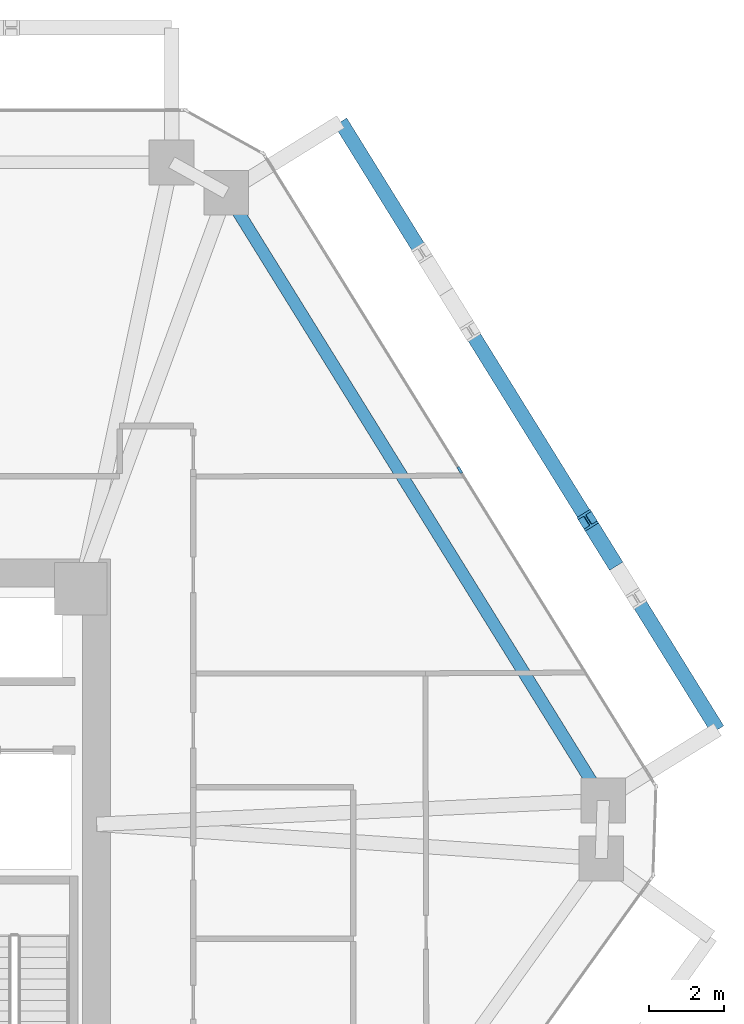
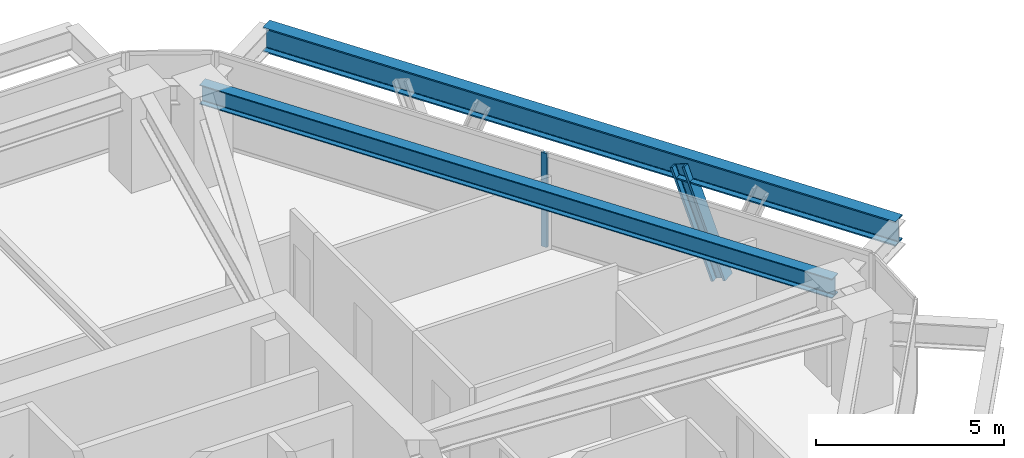
# One storey, part 6 of 13: 2 beams, 2 members, 1 element without a shape of its own.
"""IFC4 building model written with IfcOpenShell, lengths in metres."""

from ifc_helpers import new_model, si_unit, direction, frame, origin, origin_2d, place, context, subcontext, project, spatial, rectangle, i_section, extrude, source, transform, mapped, material, layer, layer_set, material_profile, profile_set, type_object, type_shapes, element, aggregate, save


model = new_model("IFC4")

# Units and contexts
model_context = context("Model", 3, precision=1e-05, world=origin(), true_north=direction((0.0, 1.0)))
body_context = subcontext(model_context, "Body", "Model", "MODEL_VIEW")
ifc_project = project(units=[si_unit("LENGTHUNIT", "METRE"), si_unit("AREAUNIT", "SQUARE_METRE"), si_unit("VOLUMEUNIT", "CUBIC_METRE"), si_unit("PLANEANGLEUNIT", "RADIAN"), si_unit("MASSUNIT", "GRAM", prefix="KILO")], contexts=[model_context])

# Site, building, storey
site_placement = place(None, origin())
site = spatial("IfcSite", under=ifc_project, at=site_placement, CompositionType="ELEMENT")
building_placement = place(site_placement, origin())
building = spatial("IfcBuilding", under=site, at=building_placement, Name="Durnholm Broadcast Tower", CompositionType="ELEMENT")
storey_placement = place(building_placement, frame((0.0, 0.0, 133.800048828125)))
storey = spatial("IfcBuildingStorey", under=building, at=storey_placement, Name="L36", CompositionType="ELEMENT", Elevation=133.800048828125)

# Beams
ifc_material_1 = material(Name="Steel ASTM A992 Grade 50", Category="steel")
ifc_material_profile_1 = material_profile(ifc_material_1, i_section(OverallWidth=0.3291015625, OverallDepth=0.635009765625, WebThickness=0.017822265625, FlangeThickness=0.031005859375, FilletRadius=0.02783203125, at=origin_2d()), Name="W24X162")
ifc_profile_set_1 = profile_set([ifc_material_profile_1], Name="Steel ASTM A992 Grade 50")
beam_type_1 = type_object("IfcBeamType", Name="STL-SP-W24X162", PredefinedType="SPANDREL", material=ifc_profile_set_1)
shared_shape_1 = source(origin(), body_context, "Body", "SweptSolid", [
    extrude(i_section(OverallWidth=0.3291015625, OverallDepth=0.635009765625, WebThickness=0.017822265625, FlangeThickness=0.031005859375, FilletRadius=0.02783203125, at=origin_2d()), origin(), (0.0, 0.0, 1.0), 19.139404296875),
])
type_shapes(beam_type_1, [shared_shape_1])
beam_1_placement = place(storey_placement, frame((13.692138671875, 18.4013671875, 2.7275390625), z_axis=(0.527111038734, -0.84979641847, 0.0), x_axis=(0.84979641847, 0.527111038734, 0.0)))
element("IfcBeam", 1, at=beam_1_placement, inside=storey, type_object=beam_type_1, Name="L36 perimeter spandrel girder 07", PredefinedType="SPANDREL", context=body_context, shape_type="MappedRepresentation", body=[
    mapped(shared_shape_1, transform((0.0, 0.0, 0.0), x_axis=(1.0, 0.0, 0.0), y_axis=(0.0, 1.0, 0.0), z_axis=(0.0, 0.0, 1.0), scale=1.0)),
])
ifc_material_profile_2 = material_profile(ifc_material_1, i_section(OverallWidth=0.385009765625, OverallDepth=0.802978515625, WebThickness=0.023681640625, FlangeThickness=0.0419921875, FilletRadius=0.032958984375, at=origin_2d()), Name="W30X261")
ifc_profile_set_2 = profile_set([ifc_material_profile_2], Name="Steel ASTM A992 Grade 50")
beam_type_2 = type_object("IfcBeamType", Name="BM-EXO-TIE", PredefinedType="USERDEFINED", material=ifc_profile_set_2)
shared_shape_2 = source(origin(), body_context, "Body", "SweptSolid", [
    extrude(i_section(OverallWidth=0.385009765625, OverallDepth=0.802978515625, WebThickness=0.023681640625, FlangeThickness=0.0419921875, FilletRadius=0.032958984375, at=origin_2d()), origin(), (0.0, 0.0, 1.0), 19.139404296875),
])
type_shapes(beam_type_2, [shared_shape_2])
beam_2_placement = place(storey_placement, frame((26.840087890625, 4.0341796875, 2.30859375), z_axis=(-0.527111038734, 0.84979641847, 0.0), x_axis=(-0.84979641847, -0.527111038734, 0.0)))
element("IfcBeam", 2, at=beam_2_placement, inside=storey, type_object=beam_type_2, Name="L36 exoskeleton collector spandrel F3", PredefinedType="SPANDREL", context=body_context, shape_type="MappedRepresentation", body=[
    mapped(shared_shape_2, transform((0.0, 0.0, 0.0), x_axis=(1.0, 0.0, 0.0), y_axis=(0.0, 1.0, 0.0), z_axis=(0.0, 0.0, 1.0), scale=1.0)),
])

# Member
ifc_material_2 = material(Name="Steel ASTM A913 Grade 65", Category="steel")
ifc_material_profile_3 = material_profile(ifc_material_2, i_section(OverallWidth=0.41845703125, OverallDepth=0.455078125, WebThickness=0.0419921875, FlangeThickness=0.067626953125, FilletRadius=0.030517578125, at=origin_2d()), Name="W14X370")
ifc_profile_set_3 = profile_set([ifc_material_profile_3], Name="Steel ASTM A913 Grade 65")
member_type_1 = type_object("IfcMemberType", Name="STL-DG-W14X370", PredefinedType="BRACE", material=ifc_profile_set_3)
shared_shape_3 = source(origin(), body_context, "Body", "SweptSolid", [
    extrude(i_section(OverallWidth=0.41845703125, OverallDepth=0.455078125, WebThickness=0.0419921875, FlangeThickness=0.067626953125, FilletRadius=0.030517578125, at=origin_2d()), origin(), (0.0, 0.0, 1.0), 3.523193359375),
])
type_shapes(member_type_1, [shared_shape_3])
member_1_placement = place(storey_placement, frame((24.01513671875, 8.58837890625, -0.991455078125), z_axis=(-0.184606642766, 0.297560406921, 0.936684681032), x_axis=(-0.849750220063, -0.527185511469, 0.0)))
element("IfcMember", 3, at=member_1_placement, inside=storey, type_object=member_type_1, Name="L36 stand-off diagrid brace F3.D1.2", PredefinedType="BRACE", context=body_context, shape_type="MappedRepresentation", body=[
    mapped(shared_shape_3, transform((0.0, 0.0, 0.0), x_axis=(1.0, 0.0, 0.0), y_axis=(0.0, 1.0, 0.0), z_axis=(0.0, 0.0, 1.0), scale=1.0)),
])

# Curtain wall, member
ifc_material_3 = material(Name="Aluminium and Solar Control IGU", Category="aluminium")
ifc_layer = layer(ifc_material_3, 0.18994140625)
ifc_layer_set = layer_set([ifc_layer], Name="Aluminium and Solar Control IGU")
curtain_wall_type = type_object("IfcCurtainWallType", Name="CW-SYS-3", PredefinedType="NOTDEFINED", material=ifc_layer_set)
curtain_wall_placement = place(storey_placement, origin())
curtain_wall = element("IfcCurtainWall", 4, at=curtain_wall_placement, inside=storey, type_object=curtain_wall_type, Name="L36 curtain wall CW-Z12-VIS CW-L36-F06", PredefinedType="NOTDEFINED")
ifc_material_4 = material(Name="Aluminium 6063-T6", Category="aluminium")
ifc_material_profile_4 = material_profile(ifc_material_4, rectangle(XDim=0.070068359375, YDim=0.18994140625, at=origin_2d()), Name="CWM70X190")
ifc_profile_set_4 = profile_set([ifc_material_profile_4], Name="Aluminium 6063-T6")
member_type_2 = type_object("IfcMemberType", Name="CW-SYS-3-MUL", PredefinedType="MULLION", material=ifc_profile_set_4)
shared_shape_4 = source(origin(), body_context, "Body", "SweptSolid", [
    extrude(rectangle(XDim=0.070068359375, YDim=0.18994140625, at=origin_2d()), origin(), (0.0, 0.0, 1.0), 3.06005859375),
])
type_shapes(member_type_2, [shared_shape_4])
member_2_placement = place(storey_placement, frame((19.9423828125, 10.980712890625, 0.0), z_axis=(0.0, 0.0, 1.0), x_axis=(0.849799925229, 0.527105385176, 0.0)))
member_2 = element("IfcMember", 5, at=member_2_placement, type_object=member_type_2, Name="CW-Z12-VIS mullion 2", PredefinedType="MULLION", context=body_context, shape_type="MappedRepresentation", body=[
    mapped(shared_shape_4, transform((0.0, 0.0, 0.0), x_axis=(1.0, 0.0, 0.0), y_axis=(0.0, 1.0, 0.0), z_axis=(0.0, 0.0, 1.0), scale=1.0)),
])
aggregate(curtain_wall, [member_2])

save(model, "model.ifc")
